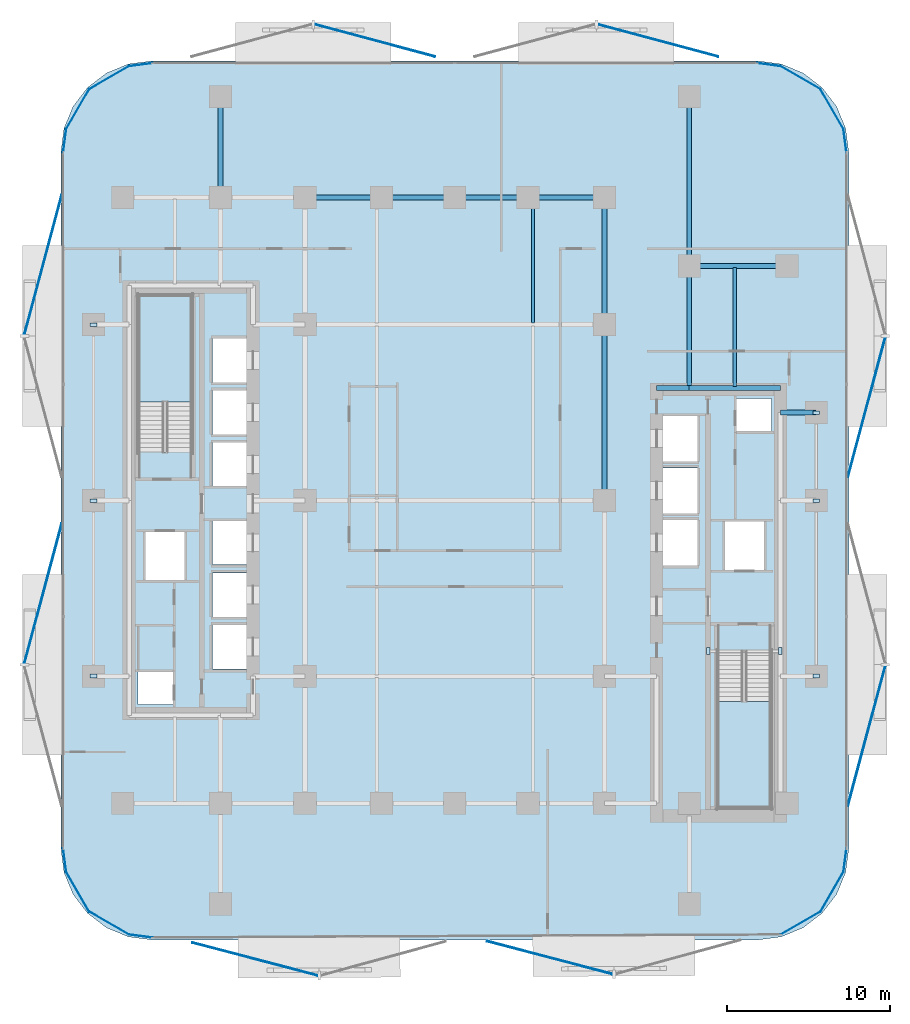
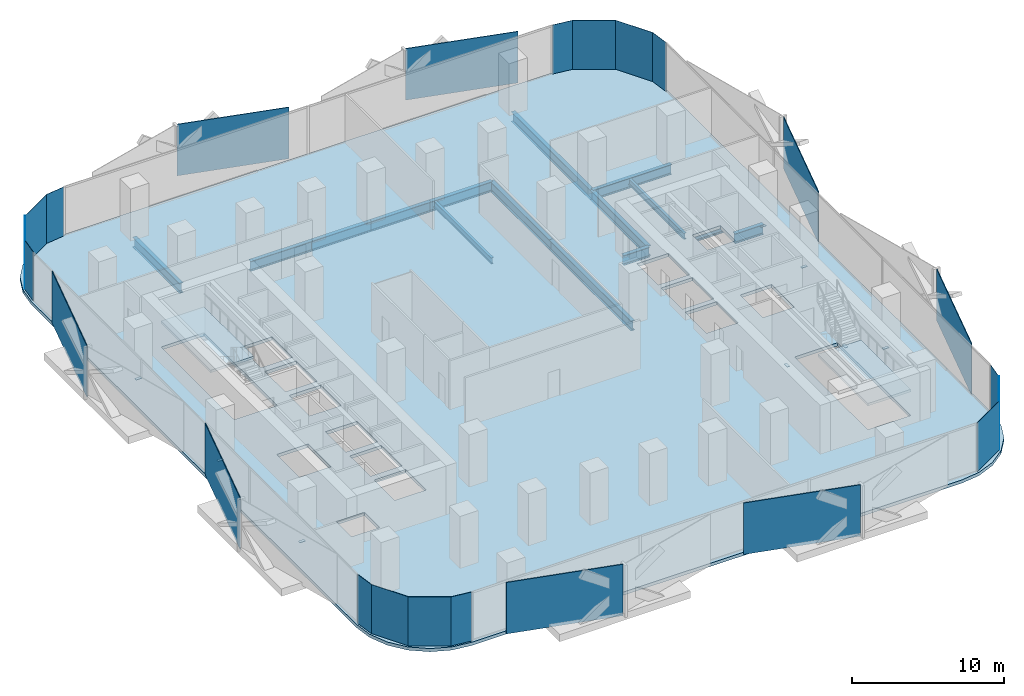
# One storey, part 2 of 15: 31 plates, 15 beams, 3 slabs, 2 elements without a shape of their own.
"""IFC4 building model written with IfcOpenShell, lengths in metres."""

from ifc_helpers import new_model, si_unit, direction, frame, origin, origin_2d, place, context, subcontext, project, spatial, polyline, rectangle, i_section, outline, extrude, material, layer, layer_set, material_profile, profile_set, type_object, element, aggregate, save


model = new_model("IFC4")

# Units and contexts
model_context = context("Model", 3, precision=1e-05, world=origin(), true_north=direction((0.0, 1.0)))
body_context = subcontext(model_context, "Body", "Model", "MODEL_VIEW")
ifc_project = project(units=[si_unit("LENGTHUNIT", "METRE"), si_unit("AREAUNIT", "SQUARE_METRE"), si_unit("VOLUMEUNIT", "CUBIC_METRE"), si_unit("PLANEANGLEUNIT", "RADIAN"), si_unit("MASSUNIT", "GRAM", prefix="KILO")], contexts=[model_context])

# Site, building, storey
site_placement = place(None, origin())
site = spatial("IfcSite", under=ifc_project, at=site_placement, CompositionType="ELEMENT")
building_placement = place(site_placement, origin())
building = spatial("IfcBuilding", under=site, at=building_placement, Name="Khairoan Windgate Tower", CompositionType="ELEMENT")
storey_placement = place(building_placement, frame((0.0, 0.0, 30.199951171875)))
storey = spatial("IfcBuildingStorey", under=building, at=storey_placement, Name="L07", CompositionType="ELEMENT", Elevation=30.199951171875)

# Beams
ifc_material_1 = material(Name="Steel S355", Category="steel")
ifc_material_profile_1 = material_profile(ifc_material_1, i_section(OverallWidth=0.300048828125, OverallDepth=0.800048828125, WebThickness=0.013916015625, FlangeThickness=0.02587890625, FilletRadius=0.028076171875, at=origin_2d()))
ifc_profile_set_1 = profile_set([ifc_material_profile_1], Name="Steel S355")
beam_type_1 = type_object("IfcBeamType", Name="Beam B-G2 H800x300x14x26", PredefinedType="BEAM", material=ifc_profile_set_1)
beam_1_placement = place(storey_placement, frame((20.0, 5.39990234375, -0.659912109375), z_axis=(1.0, 0.0, 0.0), x_axis=(0.0, 1.0, 0.0)))
element("IfcBeam", 1, at=beam_1_placement, inside=storey, type_object=beam_type_1, Name="L07 E-W Primary Girder 19", PredefinedType="BEAM", context=body_context, shape_type="SweptSolid", body=[
    extrude(i_section(OverallWidth=0.300048828125, OverallDepth=0.800048828125, WebThickness=0.013916015625, FlangeThickness=0.02587890625, FilletRadius=0.028076171875, at=origin_2d()), origin(), (0.0, 0.0, 1.0), 2.199951171875),
])
beam_2_placement = place(storey_placement, frame((12.39990234375, 6.89990234375, -0.659912109375), z_axis=(1.0, 0.0, 0.0), x_axis=(0.0, 1.0, 0.0)))
element("IfcBeam", 2, at=beam_2_placement, inside=storey, type_object=beam_type_1, Name="L07 E-W Primary Girder 20", PredefinedType="BEAM", context=body_context, shape_type="SweptSolid", body=[
    extrude(i_section(OverallWidth=0.300048828125, OverallDepth=0.800048828125, WebThickness=0.013916015625, FlangeThickness=0.02587890625, FilletRadius=0.028076171875, at=origin_2d()), origin(), (0.0, 0.0, 1.0), 2.0),
])
beam_3_placement = place(storey_placement, frame((14.39990234375, 6.89990234375, -0.659912109375), z_axis=(1.0, 0.0, 0.0), x_axis=(0.0, 1.0, 0.0)))
element("IfcBeam", 3, at=beam_3_placement, inside=storey, type_object=beam_type_1, Name="L07 E-W Primary Girder 21", PredefinedType="BEAM", context=body_context, shape_type="SweptSolid", body=[
    extrude(i_section(OverallWidth=0.300048828125, OverallDepth=0.800048828125, WebThickness=0.013916015625, FlangeThickness=0.02587890625, FilletRadius=0.028076171875, at=origin_2d()), origin(), (0.0, 0.0, 1.0), 5.60009765625),
])
beam_4_placement = place(storey_placement, frame((14.39990234375, 14.39990234375, -0.659912109375), z_axis=(1.0, 0.0, 0.0), x_axis=(0.0, 1.0, 0.0)))
element("IfcBeam", 4, at=beam_4_placement, inside=storey, type_object=beam_type_1, Name="L07 E-W Primary Girder 27", PredefinedType="BEAM", context=body_context, shape_type="SweptSolid", body=[
    extrude(i_section(OverallWidth=0.300048828125, OverallDepth=0.800048828125, WebThickness=0.013916015625, FlangeThickness=0.02587890625, FilletRadius=0.028076171875, at=origin_2d()), origin(), (0.0, 0.0, 1.0), 6.0),
])
beam_5_placement = place(storey_placement, frame((-9.199951171875, 18.60009765625, -0.659912109375), z_axis=(1.0, 0.0, 0.0), x_axis=(0.0, 1.0, 0.0)))
element("IfcBeam", 5, at=beam_5_placement, inside=storey, type_object=beam_type_1, Name="L07 E-W Primary Girder 30", PredefinedType="BEAM", context=body_context, shape_type="SweptSolid", body=[
    extrude(i_section(OverallWidth=0.300048828125, OverallDepth=0.800048828125, WebThickness=0.013916015625, FlangeThickness=0.02587890625, FilletRadius=0.028076171875, at=origin_2d()), origin(), (0.0, 0.0, 1.0), 4.699951171875),
])
for number, where, z_axis, x_axis, name in (
    (6, (-4.5, 18.60009765625, -0.659912109375), (1.0, 0.0, 0.0), (0.0, 1.0, 0.0), "L07 E-W Primary Girder 31"),
    (7, (0.0, 18.60009765625, -0.659912109375), (1.0, 0.0, 0.0), (0.0, 1.0, 0.0), "L07 E-W Primary Girder 32"),
):
    element("IfcBeam", number, at=place(storey_placement, frame(where, z_axis=z_axis, x_axis=x_axis)), inside=storey, type_object=beam_type_1, Name=name, PredefinedType="BEAM", context=body_context, shape_type="SweptSolid", body=[
        extrude(i_section(OverallWidth=0.300048828125, OverallDepth=0.800048828125, WebThickness=0.013916015625, FlangeThickness=0.02587890625, FilletRadius=0.028076171875, at=origin_2d()), origin(), (0.0, 0.0, 1.0), 4.5),
    ])
beam_6_placement = place(storey_placement, frame((4.5, 18.60009765625, -0.659912109375), z_axis=(1.0, 0.0, 0.0), x_axis=(0.0, 1.0, 0.0)))
element("IfcBeam", 8, at=beam_6_placement, inside=storey, type_object=beam_type_1, Name="L07 E-W Primary Girder 33", PredefinedType="BEAM", context=body_context, shape_type="SweptSolid", body=[
    extrude(i_section(OverallWidth=0.300048828125, OverallDepth=0.800048828125, WebThickness=0.013916015625, FlangeThickness=0.02587890625, FilletRadius=0.028076171875, at=origin_2d()), origin(), (0.0, 0.0, 1.0), 4.699951171875),
])
beam_7_placement = place(storey_placement, frame((-14.39990234375, 18.60009765625, -0.659912109375), z_axis=(0.0, 1.0, 0.0), x_axis=(-1.0, 0.0, 0.0)))
element("IfcBeam", 9, at=beam_7_placement, inside=storey, type_object=beam_type_1, Name="L07 N-S Primary Beam 43", PredefinedType="BEAM", context=body_context, shape_type="SweptSolid", body=[
    extrude(i_section(OverallWidth=0.300048828125, OverallDepth=0.800048828125, WebThickness=0.013916015625, FlangeThickness=0.02587890625, FilletRadius=0.028076171875, at=origin_2d()), origin(), (0.0, 0.0, 1.0), 6.199951171875),
])
beam_8_placement = place(storey_placement, frame((9.199951171875, 0.0, -0.659912109375), z_axis=(0.0, 1.0, 0.0), x_axis=(-1.0, 0.0, 0.0)))
element("IfcBeam", 10, at=beam_8_placement, inside=storey, type_object=beam_type_1, Name="L07 N-S Primary Beam 52", PredefinedType="BEAM", context=body_context, shape_type="SweptSolid", body=[
    extrude(i_section(OverallWidth=0.300048828125, OverallDepth=0.800048828125, WebThickness=0.013916015625, FlangeThickness=0.02587890625, FilletRadius=0.028076171875, at=origin_2d()), origin(), (0.0, 0.0, 1.0), 10.800048828125),
])
beam_9_placement = place(storey_placement, frame((9.199951171875, 10.800048828125, -0.659912109375), z_axis=(0.0, 1.0, 0.0), x_axis=(-1.0, 0.0, 0.0)))
element("IfcBeam", 11, at=beam_9_placement, inside=storey, type_object=beam_type_1, Name="L07 N-S Primary Beam 53", PredefinedType="BEAM", context=body_context, shape_type="SweptSolid", body=[
    extrude(i_section(OverallWidth=0.300048828125, OverallDepth=0.800048828125, WebThickness=0.013916015625, FlangeThickness=0.02587890625, FilletRadius=0.028076171875, at=origin_2d()), origin(), (0.0, 0.0, 1.0), 7.800048828125),
])
beam_10_placement = place(storey_placement, frame((14.39990234375, 6.89990234375, -0.659912109375), z_axis=(0.0, 1.0, 0.0), x_axis=(-1.0, 0.0, 0.0)))
element("IfcBeam", 12, at=beam_10_placement, inside=storey, type_object=beam_type_1, Name="L07 N-S Primary Beam 56", PredefinedType="BEAM", context=body_context, shape_type="SweptSolid", body=[
    extrude(i_section(OverallWidth=0.300048828125, OverallDepth=0.800048828125, WebThickness=0.013916015625, FlangeThickness=0.02587890625, FilletRadius=0.028076171875, at=origin_2d()), origin(), (0.0, 0.0, 1.0), 7.5),
])
beam_11_placement = place(storey_placement, frame((14.39990234375, 14.39990234375, -0.659912109375), z_axis=(0.0, 1.0, 0.0), x_axis=(-1.0, 0.0, 0.0)))
element("IfcBeam", 13, at=beam_11_placement, inside=storey, type_object=beam_type_1, Name="L07 N-S Primary Beam 57", PredefinedType="BEAM", context=body_context, shape_type="SweptSolid", body=[
    extrude(i_section(OverallWidth=0.300048828125, OverallDepth=0.800048828125, WebThickness=0.013916015625, FlangeThickness=0.02587890625, FilletRadius=0.028076171875, at=origin_2d()), origin(), (0.0, 0.0, 1.0), 10.400146484375),
])
ifc_material_2 = material(Name="Steel S355", Category="steel")
ifc_material_profile_2 = material_profile(ifc_material_2, i_section(OverallWidth=0.199951171875, OverallDepth=0.5, WebThickness=0.010009765625, FlangeThickness=0.01611328125, FilletRadius=0.02001953125, at=origin_2d()))
ifc_profile_set_2 = profile_set([ifc_material_profile_2], Name="Steel S355")
beam_type_2 = type_object("IfcBeamType", Name="Beam J-S2 H500x200x10x16", PredefinedType="JOIST", material=ifc_profile_set_2)
beam_12_placement = place(storey_placement, frame((4.800048828125, 10.889892578125, -0.510009765625), z_axis=(0.0, 1.0, 0.0), x_axis=(-1.0, 0.0, 0.0)))
element("IfcBeam", 14, at=beam_12_placement, inside=storey, type_object=beam_type_2, Name="L07 Secondary Floor Joist 10", PredefinedType="JOIST", context=body_context, shape_type="SweptSolid", body=[
    extrude(i_section(OverallWidth=0.199951171875, OverallDepth=0.5, WebThickness=0.010009765625, FlangeThickness=0.01611328125, FilletRadius=0.02001953125, at=origin_2d()), origin(), (0.0, 0.0, 1.0), 7.6201171875),
])
beam_13_placement = place(storey_placement, frame((17.199951171875, 6.989990234375, -0.510009765625), z_axis=(0.0, 1.0, 0.0), x_axis=(-1.0, 0.0, 0.0)))
element("IfcBeam", 15, at=beam_13_placement, inside=storey, type_object=beam_type_2, Name="L07 Secondary Floor Joist 11", PredefinedType="JOIST", context=body_context, shape_type="SweptSolid", body=[
    extrude(i_section(OverallWidth=0.199951171875, OverallDepth=0.5, WebThickness=0.010009765625, FlangeThickness=0.01611328125, FilletRadius=0.02001953125, at=origin_2d()), origin(), (0.0, 0.0, 1.0), 7.320068359375),
])

# Plates
ifc_material_3 = material(Name="Low-E Solar Control Laminated Glass", Category="glass")
ifc_layer_1 = layer(ifc_material_3, 0.030029296875, Name="Low-E Solar Control Laminated Glass")
ifc_layer_set_1 = layer_set([ifc_layer_1], Name="Low-E Solar Control Laminated Glass")
plate_type_1 = type_object("IfcPlateType", Name="Aerodynamic Wind-Corner Curved Glazing Plate", PredefinedType="USERDEFINED", material=ifc_layer_set_1)
plate_placement = place(storey_placement, frame((-19.302001953125, -26.766357421875, 0.0), z_axis=(0.0, 0.0, 1.0), x_axis=(-0.991444861374, 0.13052619222, 0.0)))
element("IfcPlate", 16, at=plate_placement, inside=storey, type_object=plate_type_1, Name="L07 Aerodynamic Wind-Corner Curved Glazing Panel 2", ObjectType="GLAZING PANEL", PredefinedType="USERDEFINED", context=body_context, shape_type="SweptSolid", body=[
    extrude(rectangle(XDim=1.474365234375, YDim=0.028076171875, at=origin_2d()), origin(), (0.0, 0.0, 1.0), 3.93994140625),
])
for number, where, z_axis, x_axis, name in (
    (17, (-21.236328125, -25.96630859375, 0.0), (0.0, 0.0, 1.0), (-0.866025403784, 0.5, 0.0), "L07 Aerodynamic Wind-Corner Curved Glazing Panel 3"),
    (18, (-23.16650390625, -24.03662109375, 0.0), (0.0, 0.0, 1.0), (-0.5, 0.866025403784, 0.0), "L07 Aerodynamic Wind-Corner Curved Glazing Panel 4"),
):
    element("IfcPlate", number, at=place(storey_placement, frame(where, z_axis=z_axis, x_axis=x_axis)), inside=storey, type_object=plate_type_1, Name=name, ObjectType="GLAZING PANEL", PredefinedType="USERDEFINED", context=body_context, shape_type="SweptSolid", body=[
        extrude(rectangle(XDim=2.86572265625, YDim=0.028076171875, at=origin_2d()), origin(), (0.0, 0.0, 1.0), 3.93994140625),
    ])
for number, where, z_axis, x_axis, name in (
    (19, (-23.96630859375, -22.101806640625, 0.0), (0.0, 0.0, 1.0), (-0.13052619222, 0.991444861374, 0.0), "L07 Aerodynamic Wind-Corner Curved Glazing Panel 5"),
    (20, (-23.96630859375, 22.101806640625, 0.0), (0.0, 0.0, 1.0), (0.13052619222, 0.991444861374, 0.0), "L07 Aerodynamic Wind-Corner Curved Glazing Panel 7"),
):
    element("IfcPlate", number, at=place(storey_placement, frame(where, z_axis=z_axis, x_axis=x_axis)), inside=storey, type_object=plate_type_1, Name=name, ObjectType="GLAZING PANEL", PredefinedType="USERDEFINED", context=body_context, shape_type="SweptSolid", body=[
        extrude(rectangle(XDim=1.474365234375, YDim=0.028076171875, at=origin_2d()), origin(), (0.0, 0.0, 1.0), 3.93994140625),
    ])
for number, where, z_axis, x_axis, name in (
    (21, (-23.16650390625, 24.03662109375, 0.0), (0.0, 0.0, 1.0), (0.5, 0.866025403784, 0.0), "L07 Aerodynamic Wind-Corner Curved Glazing Panel 8"),
    (22, (-21.236328125, 25.96630859375, 0.0), (0.0, 0.0, 1.0), (0.866025403784, 0.5, 0.0), "L07 Aerodynamic Wind-Corner Curved Glazing Panel 9"),
):
    element("IfcPlate", number, at=place(storey_placement, frame(where, z_axis=z_axis, x_axis=x_axis)), inside=storey, type_object=plate_type_1, Name=name, ObjectType="GLAZING PANEL", PredefinedType="USERDEFINED", context=body_context, shape_type="SweptSolid", body=[
        extrude(rectangle(XDim=2.86572265625, YDim=0.028076171875, at=origin_2d()), origin(), (0.0, 0.0, 1.0), 3.93994140625),
    ])
for number, where, z_axis, x_axis, name in (
    (23, (-19.302001953125, 26.766357421875, 0.0), (0.0, 0.0, 1.0), (0.991444861374, 0.13052619222, 0.0), "L07 Aerodynamic Wind-Corner Curved Glazing Panel 10"),
    (24, (19.302001953125, 26.766357421875, 0.0), (0.0, 0.0, 1.0), (0.991444861374, -0.13052619222, 0.0), "L07 Aerodynamic Wind-Corner Curved Glazing Panel 12"),
):
    element("IfcPlate", number, at=place(storey_placement, frame(where, z_axis=z_axis, x_axis=x_axis)), inside=storey, type_object=plate_type_1, Name=name, ObjectType="GLAZING PANEL", PredefinedType="USERDEFINED", context=body_context, shape_type="SweptSolid", body=[
        extrude(rectangle(XDim=1.474365234375, YDim=0.028076171875, at=origin_2d()), origin(), (0.0, 0.0, 1.0), 3.93994140625),
    ])
for number, where, z_axis, x_axis, name in (
    (25, (21.236328125, 25.96630859375, 0.0), (0.0, 0.0, 1.0), (0.866025403784, -0.5, 0.0), "L07 Aerodynamic Wind-Corner Curved Glazing Panel 13"),
    (26, (23.16650390625, 24.03662109375, 0.0), (0.0, 0.0, 1.0), (0.5, -0.866025403784, 0.0), "L07 Aerodynamic Wind-Corner Curved Glazing Panel 14"),
):
    element("IfcPlate", number, at=place(storey_placement, frame(where, z_axis=z_axis, x_axis=x_axis)), inside=storey, type_object=plate_type_1, Name=name, ObjectType="GLAZING PANEL", PredefinedType="USERDEFINED", context=body_context, shape_type="SweptSolid", body=[
        extrude(rectangle(XDim=2.86572265625, YDim=0.028076171875, at=origin_2d()), origin(), (0.0, 0.0, 1.0), 3.93994140625),
    ])
for number, where, z_axis, x_axis, name in (
    (27, (23.96630859375, 22.101806640625, 0.0), (0.0, 0.0, 1.0), (0.13052619222, -0.991444861374, 0.0), "L07 Aerodynamic Wind-Corner Curved Glazing Panel 15"),
    (28, (23.96630859375, -22.101806640625, 0.0), (0.0, 0.0, 1.0), (-0.13052619222, -0.991444861374, 0.0), "L07 Aerodynamic Wind-Corner Curved Glazing Panel 17"),
):
    element("IfcPlate", number, at=place(storey_placement, frame(where, z_axis=z_axis, x_axis=x_axis)), inside=storey, type_object=plate_type_1, Name=name, ObjectType="GLAZING PANEL", PredefinedType="USERDEFINED", context=body_context, shape_type="SweptSolid", body=[
        extrude(rectangle(XDim=1.474365234375, YDim=0.028076171875, at=origin_2d()), origin(), (0.0, 0.0, 1.0), 3.93994140625),
    ])
for number, where, z_axis, x_axis, name in (
    (29, (23.16650390625, -24.03662109375, 0.0), (0.0, 0.0, 1.0), (-0.5, -0.866025403784, 0.0), "L07 Aerodynamic Wind-Corner Curved Glazing Panel 18"),
    (30, (21.236328125, -25.96630859375, 0.0), (0.0, 0.0, 1.0), (-0.866025403784, -0.5, 0.0), "L07 Aerodynamic Wind-Corner Curved Glazing Panel 19"),
):
    element("IfcPlate", number, at=place(storey_placement, frame(where, z_axis=z_axis, x_axis=x_axis)), inside=storey, type_object=plate_type_1, Name=name, ObjectType="GLAZING PANEL", PredefinedType="USERDEFINED", context=body_context, shape_type="SweptSolid", body=[
        extrude(rectangle(XDim=2.86572265625, YDim=0.028076171875, at=origin_2d()), origin(), (0.0, 0.0, 1.0), 3.93994140625),
    ])
ifc_material_4 = material(Name="Steel S355", Category="steel")
ifc_layer_2 = layer(ifc_material_4, 0.0400390625, Name="Steel S355")
ifc_layer_set_2 = layer_set([ifc_layer_2], Name="Steel S355")
plate_type_2 = type_object("IfcPlateType", Name="Hollow Section End-Cap Plate PL-CAP40", PredefinedType="SHEET", material=ifc_layer_set_2)
for number, where, z_axis, x_axis, name in (
    (31, (-22.199951171875, -10.784912109375, -0.47998046875), (0.0, 0.0, 1.0), (0.0, 1.0, 0.0), "BM-SP-L07-034 steel end-cap plate 1"),
    (32, (-22.199951171875, -0.014892578125, -0.47998046875), (0.0, 0.0, 1.0), (0.0, 1.0, 0.0), "BM-SP-L07-034 steel end-cap plate 2"),
    (33, (-22.199951171875, 10.784912109375, -0.47998046875), (0.0, 0.0, 1.0), (0.0, 1.0, 0.0), "BM-SP-L07-035 steel end-cap plate 2"),
    (34, (22.199951171875, -10.784912109375, -0.47998046875), (0.0, 0.0, 1.0), (0.0, 1.0, 0.0), "BM-SP-L07-061 steel end-cap plate 1"),
    (35, (22.199951171875, -0.014892578125, -0.47998046875), (0.0, 0.0, 1.0), (0.0, 1.0, 0.0), "BM-SP-L07-061 steel end-cap plate 2"),
    (36, (22.199951171875, 5.385009765625, -0.47998046875), (0.0, 0.0, 1.0), (0.0, 1.0, 0.0), "BM-SP-L07-062 steel end-cap plate 2"),
    (37, (15.56494140625, -9.260009765625, -0.47998046875), (0.0, 0.0, 1.0), (1.0, 0.0, 0.0), "BM-ST1-TRIM-L07 steel end-cap plate 1"),
    (38, (19.985107421875, -9.260009765625, -0.47998046875), (0.0, 0.0, 1.0), (1.0, 0.0, 0.0), "BM-ST1-TRIM-L07 steel end-cap plate 2"),
):
    element("IfcPlate", number, at=place(storey_placement, frame(where, z_axis=z_axis, x_axis=x_axis)), inside=storey, type_object=plate_type_2, Name=name, PredefinedType="SHEET", context=body_context, shape_type="SweptSolid", body=[
        extrude(rectangle(XDim=0.219970703125, YDim=0.419921875, at=origin_2d()), origin(), (0.0, 0.0, 1.0), 0.0400390625),
    ])
ifc_material_5 = material(Name="Anodised Bronze Aluminium 6063-T6", Category="aluminium")
ifc_layer_3 = layer(ifc_material_5, 0.054931640625, Name="Anodised Bronze Aluminium 6063-T6")
ifc_layer_set_3 = layer_set([ifc_layer_3], Name="Anodised Bronze Aluminium 6063-T6")
plate_type_3 = type_object("IfcPlateType", Name="Perforated Bronze Solar Screen Panel BSP-1", PredefinedType="USERDEFINED", material=ifc_layer_set_3)
for number, where, z_axis, x_axis, name in (
    (39, (5.831787109375, -28.0908203125, -0.10009765625), (0.0, 0.0, 1.0), (-0.967179115616, 0.254095569259, 0.0), "L07 Perforated Bronze Solar Screen Panel 9R"),
    (40, (-12.27001953125, -28.1787109375, -0.10009765625), (0.0, 0.0, 1.0), (-0.967179115616, 0.254095569259, 0.0), "L07 Perforated Bronze Solar Screen Panel 10R"),
):
    element("IfcPlate", number, at=place(storey_placement, frame(where, z_axis=z_axis, x_axis=x_axis)), inside=storey, type_object=plate_type_3, Name=name, ObjectType="SCREEN", PredefinedType="USERDEFINED", context=body_context, shape_type="SweptSolid", body=[
        extrude(rectangle(XDim=7.965087890625, YDim=0.054931640625, at=origin_2d()), origin(), (0.0, 0.0, 1.0), 4.139892578125),
    ])
for number, where, z_axis, x_axis, name in (
    (41, (-25.290283203125, -5.71484375, -0.10009765625), (0.0, 0.0, 1.0), (0.258819045103, 0.965925826289, 0.0), "L07 Perforated Bronze Solar Screen Panel 11R"),
    (42, (-25.290283203125, 14.47607421875, -0.10009765625), (0.0, 0.0, 1.0), (0.258819045103, 0.965925826289, 0.0), "L07 Perforated Bronze Solar Screen Panel 12R"),
):
    element("IfcPlate", number, at=place(storey_placement, frame(where, z_axis=z_axis, x_axis=x_axis)), inside=storey, type_object=plate_type_3, Name=name, ObjectType="SCREEN", PredefinedType="USERDEFINED", context=body_context, shape_type="SweptSolid", body=[
        extrude(rectangle(XDim=8.884033203125, YDim=0.054931640625, at=origin_2d()), origin(), (0.0, 0.0, 1.0), 4.139892578125),
    ])
for number, where, z_axis, x_axis, name in (
    (43, (-4.909912109375, 28.249755859375, -0.10009765625), (0.0, 0.0, 1.0), (0.965925826289, -0.258819045103, 0.0), "L07 Perforated Bronze Solar Screen Panel 13R"),
    (44, (12.48095703125, 28.249755859375, -0.10009765625), (0.0, 0.0, 1.0), (0.965925826289, -0.258819045103, 0.0), "L07 Perforated Bronze Solar Screen Panel 14R"),
):
    element("IfcPlate", number, at=place(storey_placement, frame(where, z_axis=z_axis, x_axis=x_axis)), inside=storey, type_object=plate_type_3, Name=name, ObjectType="SCREEN", PredefinedType="USERDEFINED", context=body_context, shape_type="SweptSolid", body=[
        extrude(rectangle(XDim=7.652099609375, YDim=0.054931640625, at=origin_2d()), origin(), (0.0, 0.0, 1.0), 4.139892578125),
    ])
for number, where, z_axis, x_axis, name in (
    (45, (25.290283203125, 5.71484375, -0.10009765625), (0.0, 0.0, 1.0), (-0.258819045103, -0.965925826289, 0.0), "L07 Perforated Bronze Solar Screen Panel 15R"),
    (46, (25.290283203125, -14.47607421875, -0.10009765625), (0.0, 0.0, 1.0), (-0.258819045103, -0.965925826289, 0.0), "L07 Perforated Bronze Solar Screen Panel 16R"),
):
    element("IfcPlate", number, at=place(storey_placement, frame(where, z_axis=z_axis, x_axis=x_axis)), inside=storey, type_object=plate_type_3, Name=name, ObjectType="SCREEN", PredefinedType="USERDEFINED", context=body_context, shape_type="SweptSolid", body=[
        extrude(rectangle(XDim=8.884033203125, YDim=0.054931640625, at=origin_2d()), origin(), (0.0, 0.0, 1.0), 4.139892578125),
    ])

# Stair, slab
ifc_material_6 = material(Name="Concrete C40/50", Category="concrete")
stair_type = type_object("IfcStairType", Name="Tower Core Dog-Leg Stair ST-T1 1560mm", PredefinedType="HALF_TURN_STAIR", material=ifc_material_6)
stair_1_placement = place(storey_placement, origin())
stair_1 = element("IfcStair", 47, at=stair_1_placement, inside=storey, type_object=stair_type, Name="L07 Stair ST1", PredefinedType="HALF_TURN_STAIR")
ifc_material_7 = material(Name="Concrete C40/50", Category="concrete")
ifc_layer_4 = layer(ifc_material_7, 0.199951171875, Name="Concrete C40/50")
ifc_layer_set_4 = layer_set([ifc_layer_4], Name="Concrete C40/50")
slab_type_1 = type_object("IfcSlabType", Name="Reinforced Concrete Stair Landing Slab STL-200", PredefinedType="LANDING", material=ifc_layer_set_4)
slab_1_placement = place(storey_placement, frame((0.0, 0.0, 1.900146484375)))
slab_1 = element("IfcSlab", 48, at=slab_1_placement, type_object=slab_type_1, Name="ST1 landing 1", PredefinedType="LANDING", context=body_context, shape_type="SweptSolid", body=[
    extrude(outline(polyline([(16.14990234375, -12.340087890625), (16.14990234375, -18.89990234375), (19.419921875, -18.89990234375), (19.419921875, -12.340087890625), (16.14990234375, -12.340087890625)])), origin(), (0.0, 0.0, 1.0), 0.199951171875),
])
aggregate(stair_1, [slab_1])

stair_2_placement = place(storey_placement, origin())
stair_2 = element("IfcStair", 49, at=stair_2_placement, inside=storey, type_object=stair_type, Name="L07 Stair ST2", PredefinedType="HALF_TURN_STAIR")
slab_2_placement = place(storey_placement, frame((0.0, 0.0, 1.900146484375)))
slab_2 = element("IfcSlab", 50, at=slab_2_placement, type_object=slab_type_1, Name="ST2 landing 1", PredefinedType="LANDING", context=body_context, shape_type="SweptSolid", body=[
    extrude(outline(polyline([(-16.14990234375, 6.0400390625), (-16.14990234375, 12.60009765625), (-19.419921875, 12.60009765625), (-19.419921875, 6.0400390625), (-16.14990234375, 6.0400390625)])), origin(), (0.0, 0.0, 1.0), 0.199951171875),
])
aggregate(stair_2, [slab_2])

# Slab
ifc_material_8 = material(Name="Concrete C40/50", Category="concrete")
ifc_layer_5 = layer(ifc_material_8, 0.260009765625, Name="Concrete C40/50")
ifc_layer_set_5 = layer_set([ifc_layer_5], Name="Concrete C40/50")
slab_type_2 = type_object("IfcSlabType", Name="Tower Composite Floor Slab FS2 260mm", PredefinedType="FLOOR", material=ifc_layer_set_5)
slab_3_placement = place(storey_placement, frame((0.0, 0.0, -0.260009765625)))
element("IfcSlab", 51, at=slab_3_placement, inside=storey, type_object=slab_type_2, Name="L07 Structural Floor Slab", PredefinedType="FLOOR", context=body_context, shape_type="SweptSolid", body=[
    extrude(outline(polyline([(18.60009765625, -27.0), (20.04931640625, -26.80908203125), (21.39990234375, -26.249755859375), (22.559814453125, -25.35986328125), (23.44970703125, -24.199951171875), (24.00927734375, -22.849365234375), (24.199951171875, -21.39990234375), (24.199951171875, 21.39990234375), (24.00927734375, 22.849365234375), (23.44970703125, 24.199951171875), (22.559814453125, 25.35986328125), (21.39990234375, 26.249755859375), (20.04931640625, 26.80908203125), (18.60009765625, 27.0), (-18.60009765625, 27.0), (-20.04931640625, 26.80908203125), (-21.39990234375, 26.249755859375), (-22.559814453125, 25.35986328125), (-23.44970703125, 24.199951171875), (-24.00927734375, 22.849365234375), (-24.199951171875, 21.39990234375), (-24.199951171875, -21.39990234375), (-24.00927734375, -22.849365234375), (-23.44970703125, -24.199951171875), (-22.559814453125, -25.35986328125), (-21.39990234375, -26.249755859375), (-20.04931640625, -26.80908203125), (-18.60009765625, -27.0), (18.60009765625, -27.0)]), holes=[polyline([(16.14990234375, -9.260009765625), (16.14990234375, -18.89990234375), (19.419921875, -18.89990234375), (19.419921875, -9.260009765625), (16.14990234375, -9.260009765625)]), polyline([(-16.14990234375, 2.9599609375), (-16.14990234375, 12.60009765625), (-19.419921875, 12.60009765625), (-19.419921875, 2.9599609375), (-16.14990234375, 2.9599609375)]), polyline([(-14.89990234375, 7.25), (-12.5, 7.25), (-12.5, 9.949951171875), (-14.89990234375, 9.949951171875), (-14.89990234375, 7.25)]), polyline([(-14.89990234375, 4.050048828125), (-12.5, 4.050048828125), (-12.5, 6.75), (-14.89990234375, 6.75), (-14.89990234375, 4.050048828125)]), polyline([(-14.89990234375, 0.85009765625), (-12.5, 0.85009765625), (-12.5, 3.550048828125), (-14.89990234375, 3.550048828125), (-14.89990234375, 0.85009765625)]), polyline([(-14.89990234375, -3.949951171875), (-12.5, -3.949951171875), (-12.5, -1.25), (-14.89990234375, -1.25), (-14.89990234375, -3.949951171875)]), polyline([(-14.89990234375, -7.14990234375), (-12.5, -7.14990234375), (-12.5, -4.449951171875), (-14.89990234375, -4.449951171875), (-14.89990234375, -7.14990234375)]), polyline([(-14.89990234375, -10.35009765625), (-12.5, -10.35009765625), (-12.5, -7.64990234375), (-14.89990234375, -7.64990234375), (-14.89990234375, -10.35009765625)]), polyline([(12.5, 2.39990234375), (14.89990234375, 2.39990234375), (14.89990234375, 5.199951171875), (12.5, 5.199951171875), (12.5, 2.39990234375)]), polyline([(12.5, -0.800048828125), (14.89990234375, -0.800048828125), (14.89990234375, 2.0), (12.5, 2.0), (12.5, -0.800048828125)]), polyline([(12.5, -4.0), (14.89990234375, -4.0), (14.89990234375, -1.199951171875), (12.5, -1.199951171875), (12.5, -4.0)]), polyline([(16.60009765625, -4.300048828125), (19.0, -4.300048828125), (19.0, -1.300048828125), (16.60009765625, -1.300048828125), (16.60009765625, -4.300048828125)]), polyline([(-19.0, -4.89990234375), (-16.60009765625, -4.89990234375), (-16.60009765625, -1.89990234375), (-19.0, -1.89990234375), (-19.0, -4.89990234375)]), polyline([(-19.449951171875, -12.550048828125), (-17.31005859375, -12.550048828125), (-17.31005859375, -10.550048828125), (-19.449951171875, -10.550048828125), (-19.449951171875, -12.550048828125)]), polyline([(17.31005859375, 4.25), (19.449951171875, 4.25), (19.449951171875, 6.25), (17.31005859375, 6.25), (17.31005859375, 4.25)])]), origin(), (0.0, 0.0, 1.0), 0.260009765625),
])

save(model, "model.ifc")
